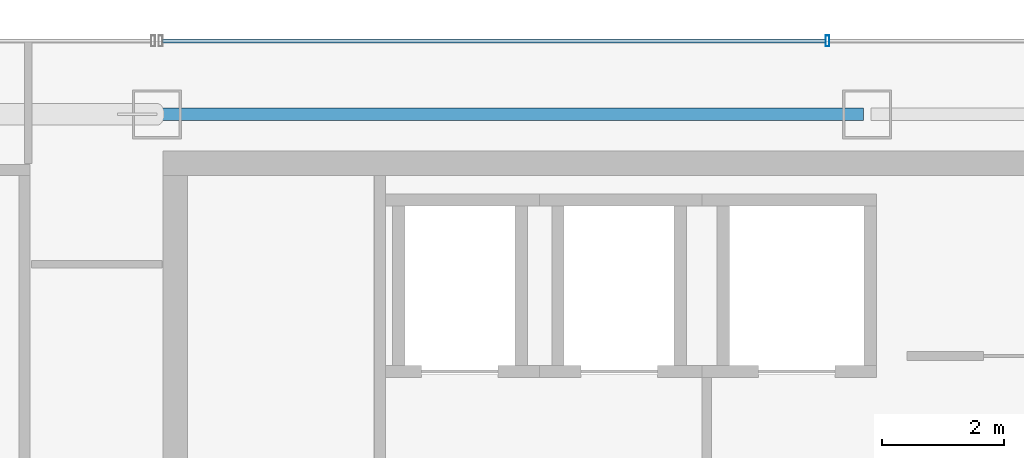
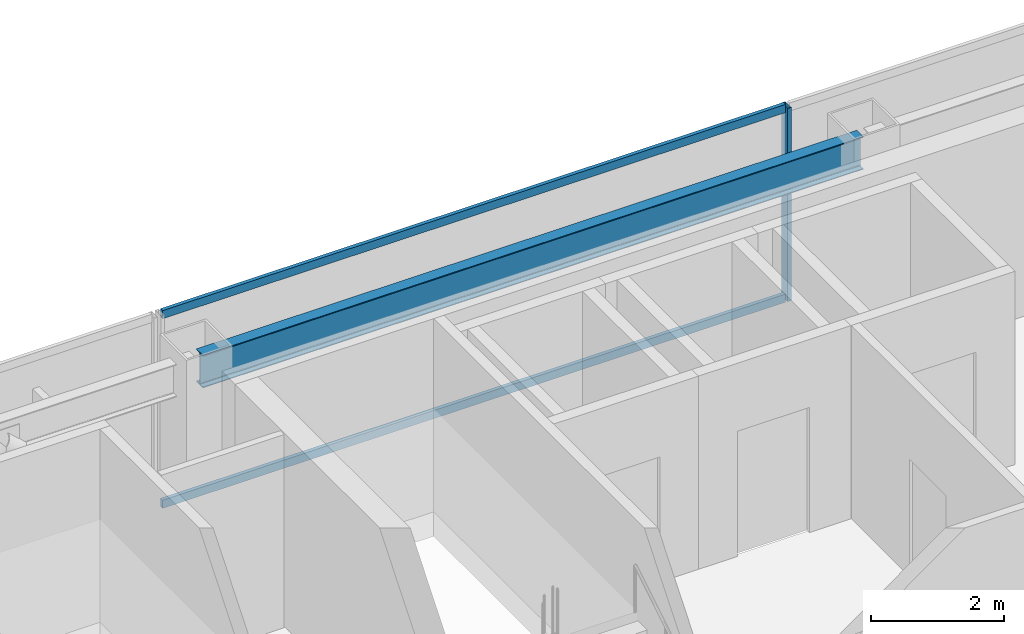
# One storey, part 14 of 28: 3 members, 1 beam, 1 element without a shape of its own.
"""IFC4 building model written with IfcOpenShell, lengths in metres."""

from ifc_helpers import new_model, si_unit, direction, frame, origin, origin_2d, place, context, subcontext, project, spatial, hollow_rectangle, i_section, extrude, material, material_profile, profile_set, type_object, element, aggregate, save


model = new_model("IFC4")

# Units and contexts
model_context = context("Model", 3, precision=1e-05, world=origin(), true_north=direction((0.0, 1.0)))
body_context = subcontext(model_context, "Body", "Model", "MODEL_VIEW")
ifc_project = project(units=[si_unit("LENGTHUNIT", "METRE"), si_unit("AREAUNIT", "SQUARE_METRE"), si_unit("VOLUMEUNIT", "CUBIC_METRE"), si_unit("PLANEANGLEUNIT", "RADIAN"), si_unit("MASSUNIT", "GRAM", prefix="KILO")], contexts=[model_context])

# Site, building, storey
site_placement = place(None, origin())
site = spatial("IfcSite", under=ifc_project, at=site_placement, CompositionType="ELEMENT")
building_placement = place(site_placement, origin())
building = spatial("IfcBuilding", under=site, at=building_placement, Name="Saevonmaru Cultural Tower", CompositionType="ELEMENT")
storey_placement = place(building_placement, frame((0.0, 0.0, 253.39990234375)))
storey = spatial("IfcBuildingStorey", under=building, at=storey_placement, Name="L59", CompositionType="ELEMENT", Elevation=253.39990234375)

# Beam
ifc_material_1 = material(Name="Steel SM355", Category="steel")
ifc_material_profile_1 = material_profile(ifc_material_1, i_section(OverallWidth=0.199951171875, OverallDepth=0.60009765625, WebThickness=0.010986328125, FlangeThickness=0.01708984375, FilletRadius=0.02197265625, at=origin_2d()), Name="H-600x200x11x17")
ifc_profile_set_1 = profile_set([ifc_material_profile_1], Name="Steel SM355")
beam_type = type_object("IfcBeamType", Name="BM-SP-H600", PredefinedType="SPANDREL", material=ifc_profile_set_1)
beam_placement = place(storey_placement, frame((13.659912109375, 54.800048828125, 3.25), z_axis=(1.0, 0.0, 0.0), x_axis=(0.0, 1.0, 0.0)))
element("IfcBeam", 1, at=beam_placement, inside=storey, type_object=beam_type, Name="L59 North Spine Girder 2", PredefinedType="SPANDREL", context=body_context, shape_type="SweptSolid", body=[
    extrude(i_section(OverallWidth=0.199951171875, OverallDepth=0.60009765625, WebThickness=0.010986328125, FlangeThickness=0.01708984375, FilletRadius=0.02197265625, at=origin_2d()), origin(), (0.0, 0.0, 1.0), 11.47998046875),
])

# Curtain wall, members
ifc_material_2 = material(Name="Satin Bronze Anodised Aluminium", Category="aluminium")
curtain_wall_type = type_object("IfcCurtainWallType", Name="CW-TYP-B", PredefinedType="NOTDEFINED", material=ifc_material_2)
curtain_wall_placement = place(storey_placement, origin())
curtain_wall = element("IfcCurtainWall", 2, at=curtain_wall_placement, inside=storey, type_object=curtain_wall_type, Name="L59 North Spine Unitised Curtain Wall E10B", PredefinedType="NOTDEFINED")
ifc_material_profile_2 = material_profile(ifc_material_2, hollow_rectangle(XDim=0.06494140625, YDim=0.179931640625, WallThickness=0.00390625, at=origin_2d()), Name="ALU-MULL-180x65x4")
ifc_profile_set_2 = profile_set([ifc_material_profile_2], Name="Satin Bronze Anodised Aluminium")
member_type_1 = type_object("IfcMemberType", Name="ML-CW-180x65", PredefinedType="MULLION", material=ifc_profile_set_2)
member_1_placement = place(storey_placement, frame((24.55322265625, 56.0, 0.0), z_axis=(0.0, 0.0, 1.0), x_axis=(-1.0, 0.0, 0.0)))
member_1 = element("IfcMember", 3, at=member_1_placement, type_object=member_type_1, Name="CW-TW-L59-E10B mullion 3", PredefinedType="MULLION", context=body_context, shape_type="SweptSolid", body=[
    extrude(hollow_rectangle(XDim=0.06494140625, YDim=0.179931640625, WallThickness=0.00390625, at=origin_2d()), origin(), (0.0, 0.0, 1.0), 3.550048828125),
])
ifc_material_profile_3 = material_profile(ifc_material_2, hollow_rectangle(XDim=0.06494140625, YDim=0.14990234375, WallThickness=0.00390625, at=origin_2d()), Name="ALU-TRAN-150x65x4")
ifc_profile_set_3 = profile_set([ifc_material_profile_3], Name="Satin Bronze Anodised Aluminium")
member_type_2 = type_object("IfcMemberType", Name="TR-CW-150x65", PredefinedType="USERDEFINED", material=ifc_profile_set_3)
member_2_placement = place(storey_placement, frame((24.520751953125, 56.0, 0.03271484375), z_axis=(-1.0, 0.0, 0.0), x_axis=(0.0, -1.0, 0.0)))
member_2 = element("IfcMember", 4, at=member_2_placement, type_object=member_type_2, Name="CW-TW-L59-E10B transom 3.1", ObjectType="TRANSOM", PredefinedType="USERDEFINED", context=body_context, shape_type="SweptSolid", body=[
    extrude(hollow_rectangle(XDim=0.06494140625, YDim=0.14990234375, WallThickness=0.00390625, at=origin_2d()), origin(), (0.0, 0.0, 1.0), 10.828369140625),
])
member_3_placement = place(storey_placement, frame((24.520751953125, 56.0, 3.517578125), z_axis=(-1.0, 0.0, 0.0), x_axis=(0.0, -1.0, 0.0)))
member_3 = element("IfcMember", 5, at=member_3_placement, type_object=member_type_2, Name="CW-TW-L59-E10B transom 3.2", ObjectType="TRANSOM", PredefinedType="USERDEFINED", context=body_context, shape_type="SweptSolid", body=[
    extrude(hollow_rectangle(XDim=0.06494140625, YDim=0.14990234375, WallThickness=0.00390625, at=origin_2d()), origin(), (0.0, 0.0, 1.0), 10.828369140625),
])
aggregate(curtain_wall, [member_1, member_2, member_3])

save(model, "model.ifc")
